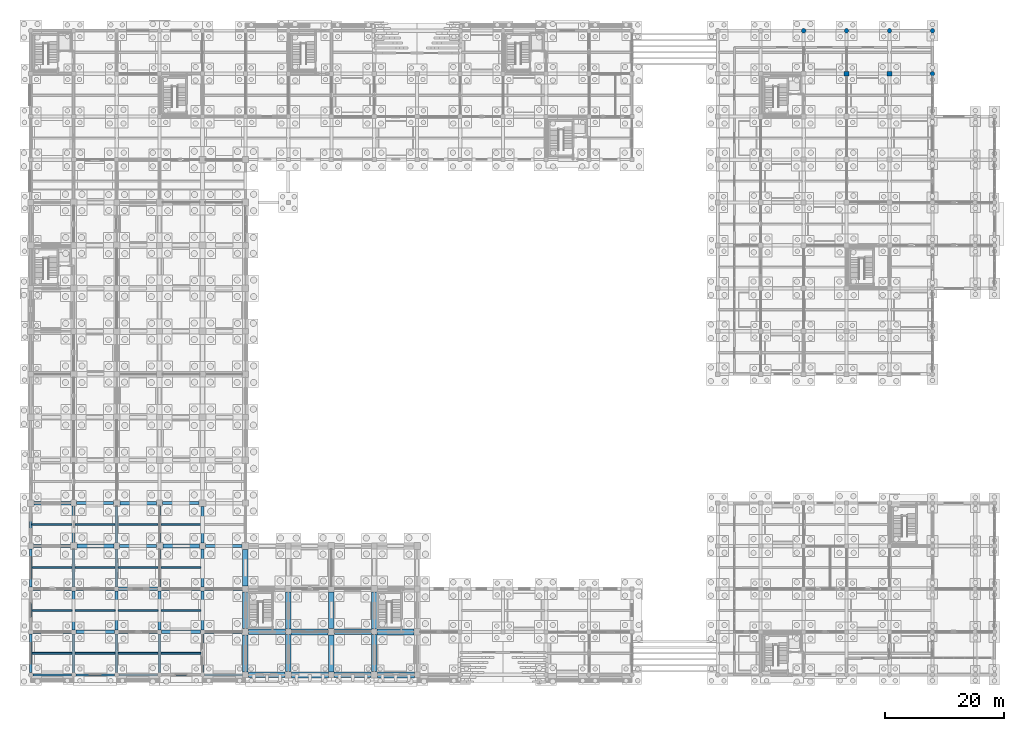
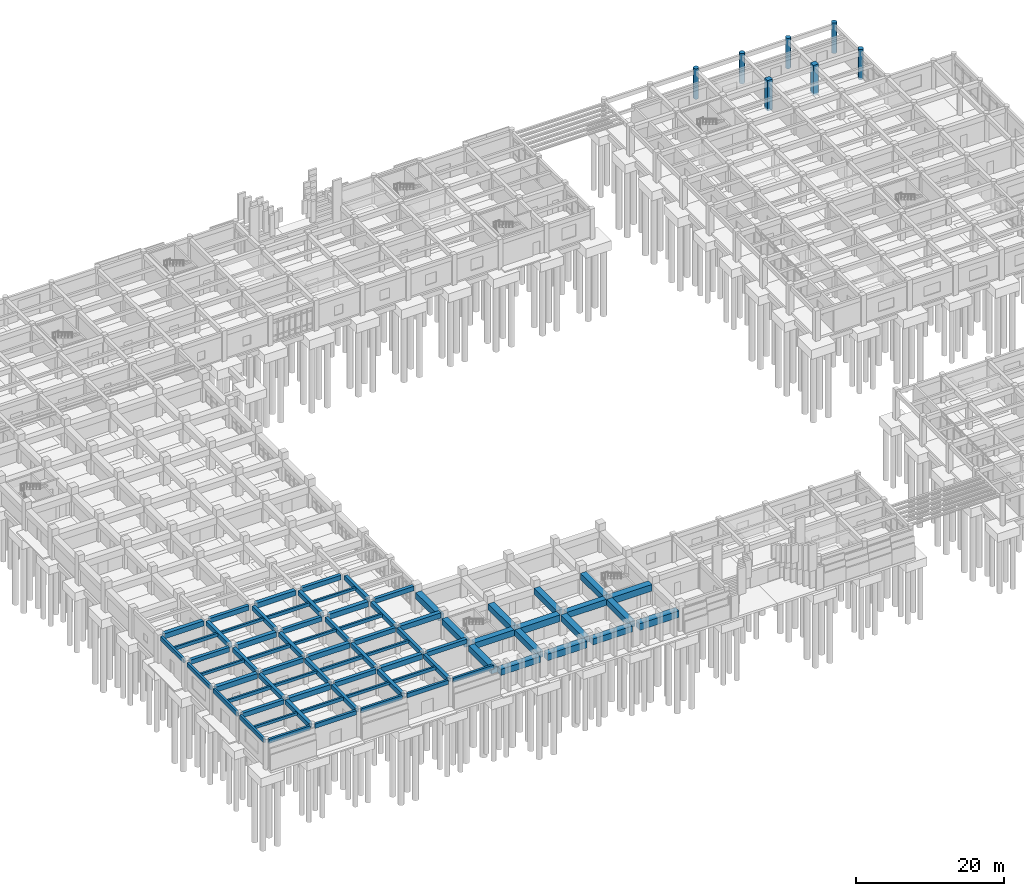
# One storey, part 17 of 79: 77 beams, 7 columns.
"""IFC4 building model written with IfcOpenShell, lengths in metres."""

from ifc_helpers import new_model, si_unit, direction, frame, origin, origin_2d, place, context, subcontext, project, spatial, rectangle, circle, extrude, material, material_profile, profile_set, type_object, element, save


model = new_model("IFC4")

# Units and contexts
model_context = context("Model", 3, precision=1e-05, world=origin(), true_north=direction((0.0, 1.0)))
body_context = subcontext(model_context, "Body", "Model", "MODEL_VIEW")
ifc_project = project(units=[si_unit("LENGTHUNIT", "METRE"), si_unit("AREAUNIT", "SQUARE_METRE"), si_unit("VOLUMEUNIT", "CUBIC_METRE"), si_unit("PLANEANGLEUNIT", "RADIAN"), si_unit("MASSUNIT", "GRAM", prefix="KILO")], contexts=[model_context])

# Site, building, storey
site_placement = place(None, origin())
site = spatial("IfcSite", under=ifc_project, at=site_placement, CompositionType="ELEMENT")
building_placement = place(site_placement, origin())
building = spatial("IfcBuilding", under=site, at=building_placement, Name="Kavelor Marine Aquarium", CompositionType="ELEMENT")
storey_placement = place(building_placement, origin())
storey = spatial("IfcBuildingStorey", under=building, at=storey_placement, Name="L00", CompositionType="ELEMENT", Elevation=0.0)

# Columns
ifc_material_1 = material(Name="Concrete C40/50", Category="concrete")
ifc_material_profile_1 = material_profile(ifc_material_1, rectangle(XDim=0.800048828125, YDim=0.800048828125, at=origin_2d()), Name="RC-COL 800x800")
ifc_profile_set_1 = profile_set([ifc_material_profile_1], Name="Concrete C40/50")
column_type_1 = type_object("IfcColumnType", Name="COL-C3", PredefinedType="COLUMN", material=ifc_profile_set_1)
for number, where, z_axis, x_axis, name in (
    (1, (140.0, 103.60009765625, -0.35009765625), (0.0, 0.0, 1.0), (1.0, 0.0, 0.0), "col:L00:19_14"),
    (2, (147.199951171875, 103.60009765625, -0.35009765625), (0.0, 0.0, 1.0), (1.0, 0.0, 0.0), "col:L00:20_14"),
):
    element("IfcColumn", number, at=place(storey_placement, frame(where, z_axis=z_axis, x_axis=x_axis)), inside=storey, type_object=column_type_1, Name=name, PredefinedType="COLUMN", context=body_context, shape_type="SweptSolid", body=[
        extrude(rectangle(XDim=0.800048828125, YDim=0.800048828125, at=origin_2d()), origin(), (0.0, 0.0, 1.0), 5.030029296875),
    ])
ifc_material_2 = material(Name="Concrete C40/50", Category="concrete")
ifc_material_profile_2 = material_profile(ifc_material_2, circle(Radius=0.375, at=origin_2d()), Name="RC-COL D750")
ifc_profile_set_2 = profile_set([ifc_material_profile_2], Name="Concrete C40/50")
column_type_2 = type_object("IfcColumnType", Name="COL-C7", PredefinedType="COLUMN", material=ifc_profile_set_2)
for number, where, z_axis, x_axis, name in (
    (3, (132.800048828125, 110.800048828125, -0.35009765625), (0.0, 0.0, 1.0), (1.0, 0.0, 0.0), "col:L00:18_15"),
    (4, (140.0, 110.800048828125, -0.35009765625), (0.0, 0.0, 1.0), (1.0, 0.0, 0.0), "col:L00:19_15"),
    (5, (147.199951171875, 110.800048828125, -0.35009765625), (0.0, 0.0, 1.0), (1.0, 0.0, 0.0), "col:L00:20_15"),
    (6, (154.39990234375, 103.60009765625, -0.35009765625), (0.0, 0.0, 1.0), (1.0, 0.0, 0.0), "col:L00:21_14"),
    (7, (154.39990234375, 110.800048828125, -0.35009765625), (0.0, 0.0, 1.0), (1.0, 0.0, 0.0), "col:L00:21_15"),
):
    element("IfcColumn", number, at=place(storey_placement, frame(where, z_axis=z_axis, x_axis=x_axis)), inside=storey, type_object=column_type_2, Name=name, PredefinedType="COLUMN", context=body_context, shape_type="SweptSolid", body=[
        extrude(circle(Radius=0.375, at=origin_2d()), origin(), (0.0, 0.0, 1.0), 5.030029296875),
    ])

# Beams
ifc_material_3 = material(Name="Concrete C40/50", Category="concrete")
ifc_material_profile_3 = material_profile(ifc_material_3, rectangle(XDim=0.60009765625, YDim=0.85009765625, at=origin_2d()), Name="RC-BM 600x850")
ifc_profile_set_3 = profile_set([ifc_material_profile_3], Name="Concrete C40/50")
beam_type_1 = type_object("IfcBeamType", Name="BM-B1", PredefinedType="BEAM", material=ifc_profile_set_3)
beam_1_placement = place(storey_placement, frame((3.550048828125, 17.199951171875, 3.955078125), z_axis=(1.0, 0.0, 0.0), x_axis=(0.0, 1.0, 0.0)))
element("IfcBeam", 8, at=beam_1_placement, inside=storey, type_object=beam_type_1, Name="bm:x:L00:L01:00_02", PredefinedType="BEAM", context=body_context, shape_type="SweptSolid", body=[
    extrude(rectangle(XDim=0.60009765625, YDim=0.85009765625, at=origin_2d()), origin(), (0.0, 0.0, 1.0), 6.5),
])
beam_2_placement = place(storey_placement, frame((3.75, 31.60009765625, 3.955078125), z_axis=(1.0, 0.0, 0.0), x_axis=(0.0, 1.0, 0.0)))
element("IfcBeam", 9, at=beam_2_placement, inside=storey, type_object=beam_type_1, Name="bm:x:L00:L01:00_04", PredefinedType="BEAM", context=body_context, shape_type="SweptSolid", body=[
    extrude(rectangle(XDim=0.60009765625, YDim=0.85009765625, at=origin_2d()), origin(), (0.0, 0.0, 1.0), 6.175048828125),
])
beam_3_placement = place(storey_placement, frame((10.75, 10.0, 3.955078125), z_axis=(1.0, 0.0, 0.0), x_axis=(0.0, 1.0, 0.0)))
element("IfcBeam", 10, at=beam_3_placement, inside=storey, type_object=beam_type_1, Name="bm:x:L00:L01:01_01", PredefinedType="BEAM", context=body_context, shape_type="SweptSolid", body=[
    extrude(rectangle(XDim=0.60009765625, YDim=0.85009765625, at=origin_2d()), origin(), (0.0, 0.0, 1.0), 6.5),
])
beam_4_placement = place(storey_placement, frame((10.949951171875, 24.39990234375, 3.955078125), z_axis=(1.0, 0.0, 0.0), x_axis=(0.0, 1.0, 0.0)))
element("IfcBeam", 11, at=beam_4_placement, inside=storey, type_object=beam_type_1, Name="bm:x:L00:L01:01_03", PredefinedType="BEAM", context=body_context, shape_type="SweptSolid", body=[
    extrude(rectangle(XDim=0.60009765625, YDim=0.85009765625, at=origin_2d()), origin(), (0.0, 0.0, 1.0), 6.175048828125),
])
beam_5_placement = place(storey_placement, frame((17.949951171875, 17.199951171875, 3.955078125), z_axis=(1.0, 0.0, 0.0), x_axis=(0.0, 1.0, 0.0)))
element("IfcBeam", 12, at=beam_5_placement, inside=storey, type_object=beam_type_1, Name="bm:x:L00:L01:02_02", PredefinedType="BEAM", context=body_context, shape_type="SweptSolid", body=[
    extrude(rectangle(XDim=0.60009765625, YDim=0.85009765625, at=origin_2d()), origin(), (0.0, 0.0, 1.0), 6.5),
])
beam_6_placement = place(storey_placement, frame((18.14990234375, 31.60009765625, 3.955078125), z_axis=(1.0, 0.0, 0.0), x_axis=(0.0, 1.0, 0.0)))
element("IfcBeam", 13, at=beam_6_placement, inside=storey, type_object=beam_type_1, Name="bm:x:L00:L01:02_04", PredefinedType="BEAM", context=body_context, shape_type="SweptSolid", body=[
    extrude(rectangle(XDim=0.60009765625, YDim=0.85009765625, at=origin_2d()), origin(), (0.0, 0.0, 1.0), 6.175048828125),
])
beam_7_placement = place(storey_placement, frame((25.14990234375, 10.0, 3.955078125), z_axis=(1.0, 0.0, 0.0), x_axis=(0.0, 1.0, 0.0)))
element("IfcBeam", 14, at=beam_7_placement, inside=storey, type_object=beam_type_1, Name="bm:x:L00:L01:03_01", PredefinedType="BEAM", context=body_context, shape_type="SweptSolid", body=[
    extrude(rectangle(XDim=0.60009765625, YDim=0.85009765625, at=origin_2d()), origin(), (0.0, 0.0, 1.0), 6.5),
])
beam_8_placement = place(storey_placement, frame((25.35009765625, 24.39990234375, 3.955078125), z_axis=(1.0, 0.0, 0.0), x_axis=(0.0, 1.0, 0.0)))
element("IfcBeam", 15, at=beam_8_placement, inside=storey, type_object=beam_type_1, Name="bm:x:L00:L01:03_03", PredefinedType="BEAM", context=body_context, shape_type="SweptSolid", body=[
    extrude(rectangle(XDim=0.60009765625, YDim=0.85009765625, at=origin_2d()), origin(), (0.0, 0.0, 1.0), 6.1748046875),
])
beam_9_placement = place(storey_placement, frame((32.35009765625, 17.199951171875, 3.955078125), z_axis=(1.0, 0.0, 0.0), x_axis=(0.0, 1.0, 0.0)))
element("IfcBeam", 16, at=beam_9_placement, inside=storey, type_object=beam_type_1, Name="bm:x:L00:L01:04_02", PredefinedType="BEAM", context=body_context, shape_type="SweptSolid", body=[
    extrude(rectangle(XDim=0.60009765625, YDim=0.85009765625, at=origin_2d()), origin(), (0.0, 0.0, 1.0), 6.375),
])
ifc_material_4 = material(Name="Concrete C40/50", Category="concrete")
ifc_material_profile_4 = material_profile(ifc_material_4, rectangle(XDim=0.5, YDim=0.75, at=origin_2d()), Name="RC-BM 500x750")
ifc_profile_set_4 = profile_set([ifc_material_profile_4], Name="Concrete C40/50")
beam_type_2 = type_object("IfcBeamType", Name="BM-B2", PredefinedType="BEAM", material=ifc_profile_set_4)
beam_10_placement = place(storey_placement, frame((3.550048828125, 10.0, 4.0048828125), z_axis=(1.0, 0.0, 0.0), x_axis=(0.0, 1.0, 0.0)))
element("IfcBeam", 17, at=beam_10_placement, inside=storey, type_object=beam_type_2, Name="bm:x:L00:L01:00_01", PredefinedType="BEAM", context=body_context, shape_type="SweptSolid", body=[
    extrude(rectangle(XDim=0.5, YDim=0.75, at=origin_2d()), origin(), (0.0, 0.0, 1.0), 6.5),
])
beam_11_placement = place(storey_placement, frame((3.675048828125, 24.39990234375, 4.0048828125), z_axis=(1.0, 0.0, 0.0), x_axis=(0.0, 1.0, 0.0)))
element("IfcBeam", 18, at=beam_11_placement, inside=storey, type_object=beam_type_2, Name="bm:x:L00:L01:00_03", PredefinedType="BEAM", context=body_context, shape_type="SweptSolid", body=[
    extrude(rectangle(XDim=0.5, YDim=0.75, at=origin_2d()), origin(), (0.0, 0.0, 1.0), 6.175048828125),
])
beam_12_placement = place(storey_placement, frame((10.75, 17.199951171875, 4.0048828125), z_axis=(1.0, 0.0, 0.0), x_axis=(0.0, 1.0, 0.0)))
element("IfcBeam", 19, at=beam_12_placement, inside=storey, type_object=beam_type_2, Name="bm:x:L00:L01:01_02", PredefinedType="BEAM", context=body_context, shape_type="SweptSolid", body=[
    extrude(rectangle(XDim=0.5, YDim=0.75, at=origin_2d()), origin(), (0.0, 0.0, 1.0), 6.5),
])
beam_13_placement = place(storey_placement, frame((10.875, 31.60009765625, 4.0048828125), z_axis=(1.0, 0.0, 0.0), x_axis=(0.0, 1.0, 0.0)))
element("IfcBeam", 20, at=beam_13_placement, inside=storey, type_object=beam_type_2, Name="bm:x:L00:L01:01_04", PredefinedType="BEAM", context=body_context, shape_type="SweptSolid", body=[
    extrude(rectangle(XDim=0.5, YDim=0.75, at=origin_2d()), origin(), (0.0, 0.0, 1.0), 6.175048828125),
])
beam_14_placement = place(storey_placement, frame((17.949951171875, 10.0, 4.0048828125), z_axis=(1.0, 0.0, 0.0), x_axis=(0.0, 1.0, 0.0)))
element("IfcBeam", 21, at=beam_14_placement, inside=storey, type_object=beam_type_2, Name="bm:x:L00:L01:02_01", PredefinedType="BEAM", context=body_context, shape_type="SweptSolid", body=[
    extrude(rectangle(XDim=0.5, YDim=0.75, at=origin_2d()), origin(), (0.0, 0.0, 1.0), 6.5),
])
beam_15_placement = place(storey_placement, frame((18.074951171875, 24.39990234375, 4.0048828125), z_axis=(1.0, 0.0, 0.0), x_axis=(0.0, 1.0, 0.0)))
element("IfcBeam", 22, at=beam_15_placement, inside=storey, type_object=beam_type_2, Name="bm:x:L00:L01:02_03", PredefinedType="BEAM", context=body_context, shape_type="SweptSolid", body=[
    extrude(rectangle(XDim=0.5, YDim=0.75, at=origin_2d()), origin(), (0.0, 0.0, 1.0), 6.175048828125),
])
beam_16_placement = place(storey_placement, frame((25.14990234375, 17.199951171875, 4.0048828125), z_axis=(1.0, 0.0, 0.0), x_axis=(0.0, 1.0, 0.0)))
element("IfcBeam", 23, at=beam_16_placement, inside=storey, type_object=beam_type_2, Name="bm:x:L00:L01:03_02", PredefinedType="BEAM", context=body_context, shape_type="SweptSolid", body=[
    extrude(rectangle(XDim=0.5, YDim=0.75, at=origin_2d()), origin(), (0.0, 0.0, 1.0), 6.5),
])
beam_17_placement = place(storey_placement, frame((25.27490234375, 31.60009765625, 4.0048828125), z_axis=(1.0, 0.0, 0.0), x_axis=(0.0, 1.0, 0.0)))
element("IfcBeam", 24, at=beam_17_placement, inside=storey, type_object=beam_type_2, Name="bm:x:L00:L01:03_04", PredefinedType="BEAM", context=body_context, shape_type="SweptSolid", body=[
    extrude(rectangle(XDim=0.5, YDim=0.75, at=origin_2d()), origin(), (0.0, 0.0, 1.0), 6.175048828125),
])
beam_18_placement = place(storey_placement, frame((32.35009765625, 10.0, 4.0048828125), z_axis=(1.0, 0.0, 0.0), x_axis=(0.0, 1.0, 0.0)))
element("IfcBeam", 25, at=beam_18_placement, inside=storey, type_object=beam_type_2, Name="bm:x:L00:L01:04_01", PredefinedType="BEAM", context=body_context, shape_type="SweptSolid", body=[
    extrude(rectangle(XDim=0.5, YDim=0.75, at=origin_2d()), origin(), (0.0, 0.0, 1.0), 6.2998046875),
])
beam_19_placement = place(storey_placement, frame((32.47509765625, 24.39990234375, 4.0048828125), z_axis=(1.0, 0.0, 0.0), x_axis=(0.0, 1.0, 0.0)))
element("IfcBeam", 26, at=beam_19_placement, inside=storey, type_object=beam_type_2, Name="bm:x:L00:L01:04_03", PredefinedType="BEAM", context=body_context, shape_type="SweptSolid", body=[
    extrude(rectangle(XDim=0.5, YDim=0.75, at=origin_2d()), origin(), (0.0, 0.0, 1.0), 6.1748046875),
])
beam_20_placement = place(storey_placement, frame((10.39990234375, 3.175048828125, 4.0048828125), z_axis=(0.0, 1.0, 0.0), x_axis=(-1.0, 0.0, 0.0)))
element("IfcBeam", 27, at=beam_20_placement, inside=storey, type_object=beam_type_2, Name="bm:y:L00:L01:01_00", PredefinedType="BEAM", context=body_context, shape_type="SweptSolid", body=[
    extrude(rectangle(XDim=0.5, YDim=0.75, at=origin_2d()), origin(), (0.0, 0.0, 1.0), 6.474853515625),
])
beam_21_placement = place(storey_placement, frame((10.39990234375, 10.35009765625, 4.0048828125), z_axis=(0.0, 1.0, 0.0), x_axis=(-1.0, 0.0, 0.0)))
element("IfcBeam", 28, at=beam_21_placement, inside=storey, type_object=beam_type_2, Name="bm:y:L00:L01:01_01", PredefinedType="BEAM", context=body_context, shape_type="SweptSolid", body=[
    extrude(rectangle(XDim=0.5, YDim=0.75, at=origin_2d()), origin(), (0.0, 0.0, 1.0), 6.5),
])
beam_22_placement = place(storey_placement, frame((10.39990234375, 17.550048828125, 4.0048828125), z_axis=(0.0, 1.0, 0.0), x_axis=(-1.0, 0.0, 0.0)))
element("IfcBeam", 29, at=beam_22_placement, inside=storey, type_object=beam_type_2, Name="bm:y:L00:L01:01_02", PredefinedType="BEAM", context=body_context, shape_type="SweptSolid", body=[
    extrude(rectangle(XDim=0.5, YDim=0.75, at=origin_2d()), origin(), (0.0, 0.0, 1.0), 6.300048828125),
])
beam_23_placement = place(storey_placement, frame((10.39990234375, 24.949951171875, 4.0048828125), z_axis=(0.0, 1.0, 0.0), x_axis=(-1.0, 0.0, 0.0)))
element("IfcBeam", 30, at=beam_23_placement, inside=storey, type_object=beam_type_2, Name="bm:y:L00:L01:01_03", PredefinedType="BEAM", context=body_context, shape_type="SweptSolid", body=[
    extrude(rectangle(XDim=0.5, YDim=0.75, at=origin_2d()), origin(), (0.0, 0.0, 1.0), 6.175048828125),
])
beam_24_placement = place(storey_placement, frame((17.60009765625, 3.175048828125, 4.0048828125), z_axis=(0.0, 1.0, 0.0), x_axis=(-1.0, 0.0, 0.0)))
element("IfcBeam", 31, at=beam_24_placement, inside=storey, type_object=beam_type_2, Name="bm:y:L00:L01:02_00", PredefinedType="BEAM", context=body_context, shape_type="SweptSolid", body=[
    extrude(rectangle(XDim=0.5, YDim=0.75, at=origin_2d()), origin(), (0.0, 0.0, 1.0), 6.474853515625),
])
beam_25_placement = place(storey_placement, frame((17.60009765625, 10.35009765625, 4.0048828125), z_axis=(0.0, 1.0, 0.0), x_axis=(-1.0, 0.0, 0.0)))
element("IfcBeam", 32, at=beam_25_placement, inside=storey, type_object=beam_type_2, Name="bm:y:L00:L01:02_01", PredefinedType="BEAM", context=body_context, shape_type="SweptSolid", body=[
    extrude(rectangle(XDim=0.5, YDim=0.75, at=origin_2d()), origin(), (0.0, 0.0, 1.0), 6.5),
])
beam_26_placement = place(storey_placement, frame((17.60009765625, 17.550048828125, 4.0048828125), z_axis=(0.0, 1.0, 0.0), x_axis=(-1.0, 0.0, 0.0)))
element("IfcBeam", 33, at=beam_26_placement, inside=storey, type_object=beam_type_2, Name="bm:y:L00:L01:02_02", PredefinedType="BEAM", context=body_context, shape_type="SweptSolid", body=[
    extrude(rectangle(XDim=0.5, YDim=0.75, at=origin_2d()), origin(), (0.0, 0.0, 1.0), 6.375),
])
beam_27_placement = place(storey_placement, frame((17.60009765625, 24.875, 4.0048828125), z_axis=(0.0, 1.0, 0.0), x_axis=(-1.0, 0.0, 0.0)))
element("IfcBeam", 34, at=beam_27_placement, inside=storey, type_object=beam_type_2, Name="bm:y:L00:L01:02_03", PredefinedType="BEAM", context=body_context, shape_type="SweptSolid", body=[
    extrude(rectangle(XDim=0.5, YDim=0.75, at=origin_2d()), origin(), (0.0, 0.0, 1.0), 6.175048828125),
])
beam_28_placement = place(storey_placement, frame((24.800048828125, 3.175048828125, 4.0048828125), z_axis=(0.0, 1.0, 0.0), x_axis=(-1.0, 0.0, 0.0)))
element("IfcBeam", 35, at=beam_28_placement, inside=storey, type_object=beam_type_2, Name="bm:y:L00:L01:03_00", PredefinedType="BEAM", context=body_context, shape_type="SweptSolid", body=[
    extrude(rectangle(XDim=0.5, YDim=0.75, at=origin_2d()), origin(), (0.0, 0.0, 1.0), 6.474853515625),
])
beam_29_placement = place(storey_placement, frame((24.800048828125, 10.35009765625, 4.0048828125), z_axis=(0.0, 1.0, 0.0), x_axis=(-1.0, 0.0, 0.0)))
element("IfcBeam", 36, at=beam_29_placement, inside=storey, type_object=beam_type_2, Name="bm:y:L00:L01:03_01", PredefinedType="BEAM", context=body_context, shape_type="SweptSolid", body=[
    extrude(rectangle(XDim=0.5, YDim=0.75, at=origin_2d()), origin(), (0.0, 0.0, 1.0), 6.5),
])
beam_30_placement = place(storey_placement, frame((24.800048828125, 17.550048828125, 4.0048828125), z_axis=(0.0, 1.0, 0.0), x_axis=(-1.0, 0.0, 0.0)))
element("IfcBeam", 37, at=beam_30_placement, inside=storey, type_object=beam_type_2, Name="bm:y:L00:L01:03_02", PredefinedType="BEAM", context=body_context, shape_type="SweptSolid", body=[
    extrude(rectangle(XDim=0.5, YDim=0.75, at=origin_2d()), origin(), (0.0, 0.0, 1.0), 6.300048828125),
])
beam_31_placement = place(storey_placement, frame((24.800048828125, 24.949951171875, 4.0048828125), z_axis=(0.0, 1.0, 0.0), x_axis=(-1.0, 0.0, 0.0)))
element("IfcBeam", 38, at=beam_31_placement, inside=storey, type_object=beam_type_2, Name="bm:y:L00:L01:03_03", PredefinedType="BEAM", context=body_context, shape_type="SweptSolid", body=[
    extrude(rectangle(XDim=0.5, YDim=0.75, at=origin_2d()), origin(), (0.0, 0.0, 1.0), 6.175048828125),
])
beam_32_placement = place(storey_placement, frame((32.0, 3.175048828125, 4.0048828125), z_axis=(0.0, 1.0, 0.0), x_axis=(-1.0, 0.0, 0.0)))
element("IfcBeam", 39, at=beam_32_placement, inside=storey, type_object=beam_type_2, Name="bm:y:L00:L01:04_00", PredefinedType="BEAM", context=body_context, shape_type="SweptSolid", body=[
    extrude(rectangle(XDim=0.5, YDim=0.75, at=origin_2d()), origin(), (0.0, 0.0, 1.0), 6.474853515625),
])
beam_33_placement = place(storey_placement, frame((32.0, 10.35009765625, 4.0048828125), z_axis=(0.0, 1.0, 0.0), x_axis=(-1.0, 0.0, 0.0)))
element("IfcBeam", 40, at=beam_33_placement, inside=storey, type_object=beam_type_2, Name="bm:y:L00:L01:04_01", PredefinedType="BEAM", context=body_context, shape_type="SweptSolid", body=[
    extrude(rectangle(XDim=0.5, YDim=0.75, at=origin_2d()), origin(), (0.0, 0.0, 1.0), 6.5),
])
beam_34_placement = place(storey_placement, frame((32.0, 17.550048828125, 4.0048828125), z_axis=(0.0, 1.0, 0.0), x_axis=(-1.0, 0.0, 0.0)))
element("IfcBeam", 41, at=beam_34_placement, inside=storey, type_object=beam_type_2, Name="bm:y:L00:L01:04_02", PredefinedType="BEAM", context=body_context, shape_type="SweptSolid", body=[
    extrude(rectangle(XDim=0.5, YDim=0.75, at=origin_2d()), origin(), (0.0, 0.0, 1.0), 6.375),
])
beam_35_placement = place(storey_placement, frame((32.0, 24.875, 4.0048828125), z_axis=(0.0, 1.0, 0.0), x_axis=(-1.0, 0.0, 0.0)))
element("IfcBeam", 42, at=beam_35_placement, inside=storey, type_object=beam_type_2, Name="bm:y:L00:L01:04_03", PredefinedType="BEAM", context=body_context, shape_type="SweptSolid", body=[
    extrude(rectangle(XDim=0.5, YDim=0.75, at=origin_2d()), origin(), (0.0, 0.0, 1.0), 6.175048828125),
])
ifc_material_5 = material(Name="Concrete C40/50", Category="concrete")
ifc_material_profile_5 = material_profile(ifc_material_5, rectangle(XDim=0.300048828125, YDim=0.449951171875, at=origin_2d()), Name="RC-JS 300x450")
ifc_profile_set_5 = profile_set([ifc_material_profile_5], Name="Concrete C40/50")
beam_type_3 = type_object("IfcBeamType", Name="BM-JS1", PredefinedType="JOIST", material=ifc_profile_set_5)
for number, where, z_axis, x_axis, name in (
    (43, (3.375, 6.39990234375, 4.155029296875), (1.0, 0.0, 0.0), (0.0, 1.0, 0.0), "js:L00:L01:00_00"),
    (44, (3.375, 20.800048828125, 4.155029296875), (1.0, 0.0, 0.0), (0.0, 1.0, 0.0), "js:L00:L01:00_02"),
):
    element("IfcBeam", number, at=place(storey_placement, frame(where, z_axis=z_axis, x_axis=x_axis)), inside=storey, type_object=beam_type_3, Name=name, PredefinedType="JOIST", context=body_context, shape_type="SweptSolid", body=[
        extrude(rectangle(XDim=0.300048828125, YDim=0.449951171875, at=origin_2d()), origin(), (0.0, 0.0, 1.0), 6.77490234375),
    ])
for number, where, z_axis, x_axis, name in (
    (45, (10.64990234375, 13.60009765625, 4.155029296875), (1.0, 0.0, 0.0), (0.0, 1.0, 0.0), "js:L00:L01:01_01"),
    (46, (10.64990234375, 28.0, 4.155029296875), (1.0, 0.0, 0.0), (0.0, 1.0, 0.0), "js:L00:L01:01_03"),
):
    element("IfcBeam", number, at=place(storey_placement, frame(where, z_axis=z_axis, x_axis=x_axis)), inside=storey, type_object=beam_type_3, Name=name, PredefinedType="JOIST", context=body_context, shape_type="SweptSolid", body=[
        extrude(rectangle(XDim=0.300048828125, YDim=0.449951171875, at=origin_2d()), origin(), (0.0, 0.0, 1.0), 6.7001953125),
    ])
for number, where, z_axis, x_axis, name in (
    (47, (17.85009765625, 6.39990234375, 4.155029296875), (1.0, 0.0, 0.0), (0.0, 1.0, 0.0), "js:L00:L01:02_00"),
    (48, (17.85009765625, 20.800048828125, 4.155029296875), (1.0, 0.0, 0.0), (0.0, 1.0, 0.0), "js:L00:L01:02_02"),
    (49, (25.050048828125, 13.60009765625, 4.155029296875), (1.0, 0.0, 0.0), (0.0, 1.0, 0.0), "js:L00:L01:03_01"),
    (50, (25.050048828125, 28.0, 4.155029296875), (1.0, 0.0, 0.0), (0.0, 1.0, 0.0), "js:L00:L01:03_03"),
):
    element("IfcBeam", number, at=place(storey_placement, frame(where, z_axis=z_axis, x_axis=x_axis)), inside=storey, type_object=beam_type_3, Name=name, PredefinedType="JOIST", context=body_context, shape_type="SweptSolid", body=[
        extrude(rectangle(XDim=0.300048828125, YDim=0.449951171875, at=origin_2d()), origin(), (0.0, 0.0, 1.0), 6.699951171875),
    ])
ifc_material_6 = material(Name="Concrete C40/50", Category="concrete")
ifc_material_profile_6 = material_profile(ifc_material_6, rectangle(XDim=0.300048828125, YDim=0.550048828125, at=origin_2d()), Name="RC-JS 300x550")
ifc_profile_set_6 = profile_set([ifc_material_profile_6], Name="Concrete C40/50")
beam_type_4 = type_object("IfcBeamType", Name="BM-JS2", PredefinedType="JOIST", material=ifc_profile_set_6)
for number, where, z_axis, x_axis, name in (
    (51, (3.375, 13.60009765625, 4.10498046875), (1.0, 0.0, 0.0), (0.0, 1.0, 0.0), "js:L00:L01:00_01"),
    (52, (3.375, 28.0, 4.10498046875), (1.0, 0.0, 0.0), (0.0, 1.0, 0.0), "js:L00:L01:00_03"),
):
    element("IfcBeam", number, at=place(storey_placement, frame(where, z_axis=z_axis, x_axis=x_axis)), inside=storey, type_object=beam_type_4, Name=name, PredefinedType="JOIST", context=body_context, shape_type="SweptSolid", body=[
        extrude(rectangle(XDim=0.300048828125, YDim=0.550048828125, at=origin_2d()), origin(), (0.0, 0.0, 1.0), 6.77490234375),
    ])
for number, where, z_axis, x_axis, name in (
    (53, (10.64990234375, 6.39990234375, 4.10498046875), (1.0, 0.0, 0.0), (0.0, 1.0, 0.0), "js:L00:L01:01_00"),
    (54, (10.64990234375, 20.800048828125, 4.10498046875), (1.0, 0.0, 0.0), (0.0, 1.0, 0.0), "js:L00:L01:01_02"),
):
    element("IfcBeam", number, at=place(storey_placement, frame(where, z_axis=z_axis, x_axis=x_axis)), inside=storey, type_object=beam_type_4, Name=name, PredefinedType="JOIST", context=body_context, shape_type="SweptSolid", body=[
        extrude(rectangle(XDim=0.300048828125, YDim=0.550048828125, at=origin_2d()), origin(), (0.0, 0.0, 1.0), 6.7001953125),
    ])
for number, where, z_axis, x_axis, name in (
    (55, (17.85009765625, 13.60009765625, 4.10498046875), (1.0, 0.0, 0.0), (0.0, 1.0, 0.0), "js:L00:L01:02_01"),
    (56, (17.85009765625, 28.0, 4.10498046875), (1.0, 0.0, 0.0), (0.0, 1.0, 0.0), "js:L00:L01:02_03"),
    (57, (25.050048828125, 6.39990234375, 4.10498046875), (1.0, 0.0, 0.0), (0.0, 1.0, 0.0), "js:L00:L01:03_00"),
    (58, (25.050048828125, 20.800048828125, 4.10498046875), (1.0, 0.0, 0.0), (0.0, 1.0, 0.0), "js:L00:L01:03_02"),
):
    element("IfcBeam", number, at=place(storey_placement, frame(where, z_axis=z_axis, x_axis=x_axis)), inside=storey, type_object=beam_type_4, Name=name, PredefinedType="JOIST", context=body_context, shape_type="SweptSolid", body=[
        extrude(rectangle(XDim=0.300048828125, YDim=0.550048828125, at=origin_2d()), origin(), (0.0, 0.0, 1.0), 6.699951171875),
    ])
ifc_material_7 = material(Name="Concrete C40/50", Category="concrete")
ifc_material_profile_7 = material_profile(ifc_material_7, rectangle(XDim=0.35009765625, YDim=0.699951171875, at=origin_2d()), Name="RC-SP 350x700")
ifc_profile_set_7 = profile_set([ifc_material_profile_7], Name="Concrete C40/50")
beam_type_5 = type_object("IfcBeamType", Name="BM-SP1", PredefinedType="SPANDREL", material=ifc_profile_set_7)
beam_36_placement = place(storey_placement, frame((3.574951171875, 2.800048828125, 4.030029296875), z_axis=(1.0, 0.0, 0.0), x_axis=(0.0, 1.0, 0.0)))
element("IfcBeam", 59, at=beam_36_placement, inside=storey, type_object=beam_type_5, Name="bm:x:L00:L01:00_00", PredefinedType="SPANDREL", context=body_context, shape_type="SweptSolid", body=[
    extrude(rectangle(XDim=0.35009765625, YDim=0.699951171875, at=origin_2d()), origin(), (0.0, 0.0, 1.0), 6.449951171875),
])
beam_37_placement = place(storey_placement, frame((10.77490234375, 2.800048828125, 4.030029296875), z_axis=(1.0, 0.0, 0.0), x_axis=(0.0, 1.0, 0.0)))
element("IfcBeam", 60, at=beam_37_placement, inside=storey, type_object=beam_type_5, Name="bm:x:L00:L01:01_00", PredefinedType="SPANDREL", context=body_context, shape_type="SweptSolid", body=[
    extrude(rectangle(XDim=0.35009765625, YDim=0.699951171875, at=origin_2d()), origin(), (0.0, 0.0, 1.0), 6.4501953125),
])
for number, where, z_axis, x_axis, name in (
    (61, (17.97509765625, 2.800048828125, 4.030029296875), (1.0, 0.0, 0.0), (0.0, 1.0, 0.0), "bm:x:L00:L01:02_00"),
    (62, (25.175048828125, 2.800048828125, 4.030029296875), (1.0, 0.0, 0.0), (0.0, 1.0, 0.0), "bm:x:L00:L01:03_00"),
):
    element("IfcBeam", number, at=place(storey_placement, frame(where, z_axis=z_axis, x_axis=x_axis)), inside=storey, type_object=beam_type_5, Name=name, PredefinedType="SPANDREL", context=body_context, shape_type="SweptSolid", body=[
        extrude(rectangle(XDim=0.35009765625, YDim=0.699951171875, at=origin_2d()), origin(), (0.0, 0.0, 1.0), 6.449951171875),
    ])
beam_38_placement = place(storey_placement, frame((32.375, 2.800048828125, 4.030029296875), z_axis=(1.0, 0.0, 0.0), x_axis=(0.0, 1.0, 0.0)))
element("IfcBeam", 63, at=beam_38_placement, inside=storey, type_object=beam_type_5, Name="bm:x:L00:L01:04_00", PredefinedType="SPANDREL", context=body_context, shape_type="SweptSolid", body=[
    extrude(rectangle(XDim=0.35009765625, YDim=0.699951171875, at=origin_2d()), origin(), (0.0, 0.0, 1.0), 6.35009765625),
])
beam_39_placement = place(storey_placement, frame((3.199951171875, 3.175048828125, 4.030029296875), z_axis=(0.0, 1.0, 0.0), x_axis=(-1.0, 0.0, 0.0)))
element("IfcBeam", 64, at=beam_39_placement, inside=storey, type_object=beam_type_5, Name="bm:y:L00:L01:00_00", PredefinedType="SPANDREL", context=body_context, shape_type="SweptSolid", body=[
    extrude(rectangle(XDim=0.35009765625, YDim=0.699951171875, at=origin_2d()), origin(), (0.0, 0.0, 1.0), 6.474853515625),
])
beam_40_placement = place(storey_placement, frame((3.199951171875, 10.35009765625, 4.030029296875), z_axis=(0.0, 1.0, 0.0), x_axis=(-1.0, 0.0, 0.0)))
element("IfcBeam", 65, at=beam_40_placement, inside=storey, type_object=beam_type_5, Name="bm:y:L00:L01:00_01", PredefinedType="SPANDREL", context=body_context, shape_type="SweptSolid", body=[
    extrude(rectangle(XDim=0.35009765625, YDim=0.699951171875, at=origin_2d()), origin(), (0.0, 0.0, 1.0), 6.5),
])
beam_41_placement = place(storey_placement, frame((3.199951171875, 17.550048828125, 4.030029296875), z_axis=(0.0, 1.0, 0.0), x_axis=(-1.0, 0.0, 0.0)))
element("IfcBeam", 66, at=beam_41_placement, inside=storey, type_object=beam_type_5, Name="bm:y:L00:L01:00_02", PredefinedType="SPANDREL", context=body_context, shape_type="SweptSolid", body=[
    extrude(rectangle(XDim=0.35009765625, YDim=0.699951171875, at=origin_2d()), origin(), (0.0, 0.0, 1.0), 6.375),
])
beam_42_placement = place(storey_placement, frame((3.199951171875, 24.875, 4.030029296875), z_axis=(0.0, 1.0, 0.0), x_axis=(-1.0, 0.0, 0.0)))
element("IfcBeam", 67, at=beam_42_placement, inside=storey, type_object=beam_type_5, Name="bm:y:L00:L01:00_03", PredefinedType="SPANDREL", context=body_context, shape_type="SweptSolid", body=[
    extrude(rectangle(XDim=0.35009765625, YDim=0.699951171875, at=origin_2d()), origin(), (0.0, 0.0, 1.0), 6.175048828125),
])
ifc_material_8 = material(Name="Concrete C45/55", Category="concrete")
ifc_material_profile_8 = material_profile(ifc_material_8, rectangle(XDim=1.0, YDim=1.10009765625, at=origin_2d()), Name="RC-TG 1000x1100")
ifc_profile_set_8 = profile_set([ifc_material_profile_8], Name="Concrete C45/55")
beam_type_6 = type_object("IfcBeamType", Name="BM-TG1", PredefinedType="BEAM", material=ifc_profile_set_8)
for number, where, z_axis, x_axis, name in (
    (68, (46.949951171875, 2.800048828125, 2.929931640625), (1.0, 0.0, 0.0), (0.0, 1.0, 0.0), "bm:x:L00:L01:06_00"),
    (69, (46.875, 10.0, 2.929931640625), (1.0, 0.0, 0.0), (0.0, 1.0, 0.0), "bm:x:L00:L01:06_01"),
):
    element("IfcBeam", number, at=place(storey_placement, frame(where, z_axis=z_axis, x_axis=x_axis)), inside=storey, type_object=beam_type_6, Name=name, PredefinedType="BEAM", context=body_context, shape_type="SweptSolid", body=[
        extrude(rectangle(XDim=1.0, YDim=1.10009765625, at=origin_2d()), origin(), (0.0, 0.0, 1.0), 6.175048828125),
    ])
beam_43_placement = place(storey_placement, frame((61.35009765625, 2.800048828125, 2.929931640625), z_axis=(1.0, 0.0, 0.0), x_axis=(0.0, 1.0, 0.0)))
element("IfcBeam", 70, at=beam_43_placement, inside=storey, type_object=beam_type_6, Name="bm:x:L00:L01:08_00", PredefinedType="BEAM", context=body_context, shape_type="SweptSolid", body=[
    extrude(rectangle(XDim=1.0, YDim=1.10009765625, at=origin_2d()), origin(), (0.0, 0.0, 1.0), 6.1748046875),
])
beam_44_placement = place(storey_placement, frame((61.27490234375, 10.0, 2.929931640625), z_axis=(1.0, 0.0, 0.0), x_axis=(0.0, 1.0, 0.0)))
element("IfcBeam", 71, at=beam_44_placement, inside=storey, type_object=beam_type_6, Name="bm:x:L00:L01:08_01", PredefinedType="BEAM", context=body_context, shape_type="SweptSolid", body=[
    extrude(rectangle(XDim=1.0, YDim=1.10009765625, at=origin_2d()), origin(), (0.0, 0.0, 1.0), 6.175048828125),
])
ifc_material_9 = material(Name="Concrete C45/55", Category="concrete")
ifc_material_profile_9 = material_profile(ifc_material_9, rectangle(XDim=0.89990234375, YDim=1.0, at=origin_2d()), Name="RC-TG 900x1000")
ifc_profile_set_9 = profile_set([ifc_material_profile_9], Name="Concrete C45/55")
beam_type_7 = type_object("IfcBeamType", Name="BM-TG2", PredefinedType="BEAM", material=ifc_profile_set_9)
for number, where, z_axis, x_axis, name in (
    (72, (39.675048828125, 2.800048828125, 2.97998046875), (1.0, 0.0, 0.0), (0.0, 1.0, 0.0), "bm:x:L00:L01:05_00"),
    (73, (39.75, 10.0, 2.97998046875), (1.0, 0.0, 0.0), (0.0, 1.0, 0.0), "bm:x:L00:L01:05_01"),
    (74, (54.074951171875, 2.800048828125, 2.97998046875), (1.0, 0.0, 0.0), (0.0, 1.0, 0.0), "bm:x:L00:L01:07_00"),
    (75, (54.14990234375, 10.0, 2.97998046875), (1.0, 0.0, 0.0), (0.0, 1.0, 0.0), "bm:x:L00:L01:07_01"),
    (76, (39.199951171875, 3.27490234375, 2.97998046875), (0.0, 1.0, 0.0), (-1.0, 0.0, 0.0), "bm:y:L00:L01:05_00"),
    (77, (39.199951171875, 10.550048828125, 2.97998046875), (0.0, 1.0, 0.0), (-1.0, 0.0, 0.0), "bm:y:L00:L01:05_01"),
    (78, (39.199951171875, 17.675048828125, 2.97998046875), (0.0, 1.0, 0.0), (-1.0, 0.0, 0.0), "bm:y:L00:L01:05_02"),
):
    element("IfcBeam", number, at=place(storey_placement, frame(where, z_axis=z_axis, x_axis=x_axis)), inside=storey, type_object=beam_type_7, Name=name, PredefinedType="BEAM", context=body_context, shape_type="SweptSolid", body=[
        extrude(rectangle(XDim=0.89990234375, YDim=1.0, at=origin_2d()), origin(), (0.0, 0.0, 1.0), 6.175048828125),
    ])
for number, where, z_axis, x_axis, name in (
    (79, (46.39990234375, 3.35009765625, 2.97998046875), (0.0, 1.0, 0.0), (-1.0, 0.0, 0.0), "bm:y:L00:L01:06_00"),
    (80, (46.39990234375, 10.47509765625, 2.97998046875), (0.0, 1.0, 0.0), (-1.0, 0.0, 0.0), "bm:y:L00:L01:06_01"),
):
    element("IfcBeam", number, at=place(storey_placement, frame(where, z_axis=z_axis, x_axis=x_axis)), inside=storey, type_object=beam_type_7, Name=name, PredefinedType="BEAM", context=body_context, shape_type="SweptSolid", body=[
        extrude(rectangle(XDim=0.89990234375, YDim=1.0, at=origin_2d()), origin(), (0.0, 0.0, 1.0), 6.1748046875),
    ])
for number, where, z_axis, x_axis, name in (
    (81, (53.60009765625, 3.27490234375, 2.97998046875), (0.0, 1.0, 0.0), (-1.0, 0.0, 0.0), "bm:y:L00:L01:07_00"),
    (82, (53.60009765625, 10.550048828125, 2.97998046875), (0.0, 1.0, 0.0), (-1.0, 0.0, 0.0), "bm:y:L00:L01:07_01"),
):
    element("IfcBeam", number, at=place(storey_placement, frame(where, z_axis=z_axis, x_axis=x_axis)), inside=storey, type_object=beam_type_7, Name=name, PredefinedType="BEAM", context=body_context, shape_type="SweptSolid", body=[
        extrude(rectangle(XDim=0.89990234375, YDim=1.0, at=origin_2d()), origin(), (0.0, 0.0, 1.0), 6.175048828125),
    ])
for number, where, z_axis, x_axis, name in (
    (83, (60.800048828125, 3.35009765625, 2.97998046875), (0.0, 1.0, 0.0), (-1.0, 0.0, 0.0), "bm:y:L00:L01:08_00"),
    (84, (60.800048828125, 10.47509765625, 2.97998046875), (0.0, 1.0, 0.0), (-1.0, 0.0, 0.0), "bm:y:L00:L01:08_01"),
):
    element("IfcBeam", number, at=place(storey_placement, frame(where, z_axis=z_axis, x_axis=x_axis)), inside=storey, type_object=beam_type_7, Name=name, PredefinedType="BEAM", context=body_context, shape_type="SweptSolid", body=[
        extrude(rectangle(XDim=0.89990234375, YDim=1.0, at=origin_2d()), origin(), (0.0, 0.0, 1.0), 6.1748046875),
    ])

save(model, "model.ifc")
